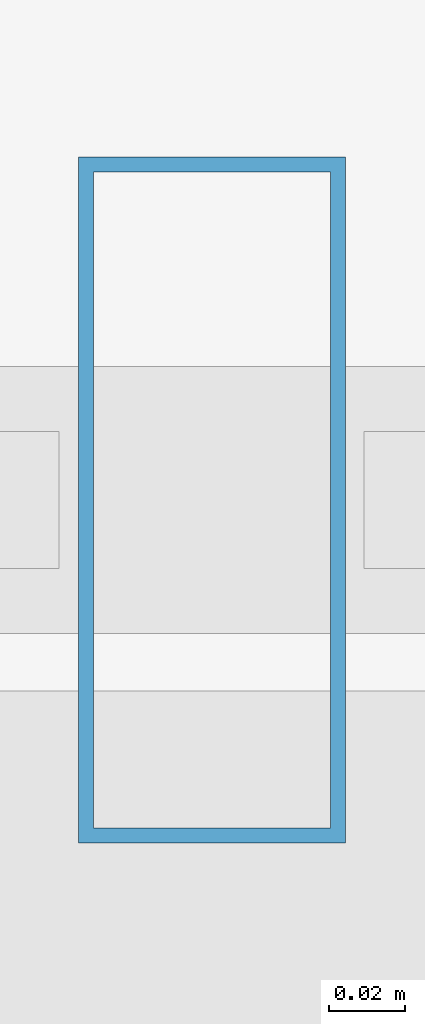
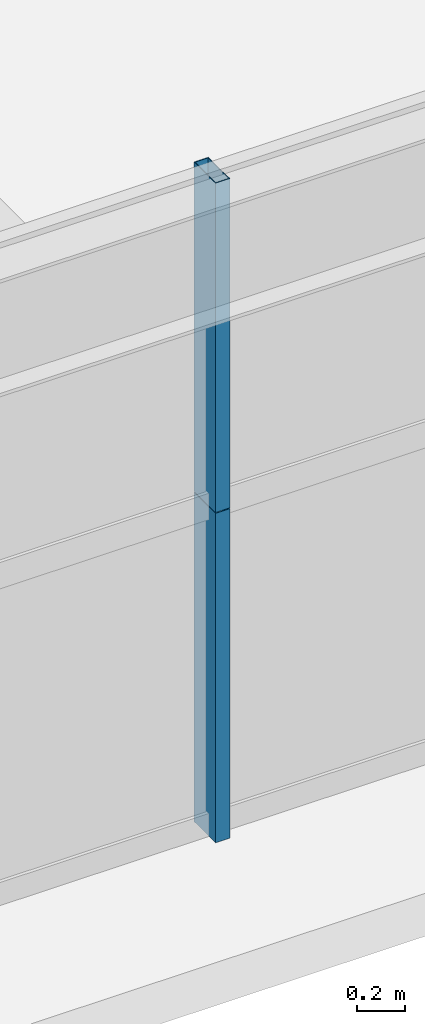
# One storey, part 13 of 43: 2 members, 1 element without a shape of its own.
"""IFC4 building model written with IfcOpenShell, lengths in metres."""

from ifc_helpers import new_model, si_unit, direction, frame, origin, origin_2d, place, context, subcontext, project, spatial, hollow_rectangle, extrude, source, transform, mapped, material, layer, layer_set, material_profile, profile_set, type_object, element, aggregate, save


model = new_model("IFC4")

# Units and contexts
model_context = context("Model", 3, precision=1e-05, world=origin(), true_north=direction((0.0, 1.0)))
body_context = subcontext(model_context, "Body", "Model", "MODEL_VIEW")
ifc_project = project(units=[si_unit("LENGTHUNIT", "METRE"), si_unit("AREAUNIT", "SQUARE_METRE"), si_unit("VOLUMEUNIT", "CUBIC_METRE"), si_unit("PLANEANGLEUNIT", "RADIAN"), si_unit("MASSUNIT", "GRAM", prefix="KILO"), si_unit("THERMODYNAMICTEMPERATUREUNIT", "KELVIN"), si_unit("POWERUNIT", "WATT")], contexts=[model_context])

# Site, building, storey
site_placement = place(None, origin())
site = spatial("IfcSite", under=ifc_project, at=site_placement, CompositionType="ELEMENT")
building_placement = place(site_placement, origin())
building = spatial("IfcBuilding", under=site, at=building_placement, Name="Yuzanri Waterfront Tower", CompositionType="ELEMENT")
storey_placement = place(building_placement, frame((0.0, 0.0, 60.39990234375)))
storey = spatial("IfcBuildingStorey", under=building, at=storey_placement, Name="L15", CompositionType="ELEMENT", Elevation=60.39990234375)

# Curtain wall, members
ifc_material_1 = material(Name="Anodized Architectural Bronze", Category="metal")
ifc_layer = layer(ifc_material_1, 0.159912109375)
ifc_layer_set = layer_set([ifc_layer], Name="Anodized Architectural Bronze")
curtain_wall_type = type_object("IfcCurtainWallType", Name="Anodized Bronze Hotel Lower-Tier Recessed Unitized Curtain Wall 8100", PredefinedType="NOTDEFINED", material=ifc_layer_set)
curtain_wall_placement = place(storey_placement, origin())
curtain_wall = element("IfcCurtainWall", 1, at=curtain_wall_placement, inside=storey, type_object=curtain_wall_type, Name="L15 Curtain Wall CW-L15-SR", PredefinedType="NOTDEFINED")
ifc_material_2 = material(Name="Anodized Architectural Bronze", Category="metal")
ifc_material_profile = material_profile(ifc_material_2, hollow_rectangle(XDim=0.070068359375, YDim=0.179931640625, WallThickness=0.00390625, at=origin_2d()), Name="CWM 70x180")
ifc_profile_set = profile_set([ifc_material_profile], Name="Anodized Architectural Bronze")
member_type = type_object("IfcMemberType", Name="Anodized Bronze Standard Curtain-Wall Mullion 70x180", PredefinedType="MULLION", material=ifc_profile_set)
shared_shape = source(origin(), body_context, "Body", "SweptSolid", [
    extrude(hollow_rectangle(XDim=0.070068359375, YDim=0.179931640625, WallThickness=0.00390625, at=origin_2d()), origin(), (0.0, 0.0, 1.0), 1.68798828125),
])
member_1_placement = place(storey_placement, frame((46.10009765625, 0.85009765625, 0.0), z_axis=(0.0, 0.0, 1.0), x_axis=(1.0, 0.0, 0.0)))
member_1 = element("IfcMember", 2, at=member_1_placement, type_object=member_type, Name="CW-L15-SR Lower Mullion 01", PredefinedType="MULLION", context=body_context, shape_type="MappedRepresentation", body=[
    mapped(shared_shape, transform((0.0, 0.0, 0.0), scale=1.0)),
])
member_2_placement = place(storey_placement, frame((46.10009765625, 0.85009765625, 1.692138671875), z_axis=(0.0, 0.0, 1.0), x_axis=(1.0, 0.0, 0.0)))
member_2 = element("IfcMember", 3, at=member_2_placement, type_object=member_type, Name="CW-L15-SR Upper Mullion 01", PredefinedType="MULLION", context=body_context, shape_type="MappedRepresentation", body=[
    mapped(shared_shape, transform((0.0, 0.0, 0.0), scale=1.0)),
])
aggregate(curtain_wall, [member_1, member_2])

save(model, "model.ifc")
